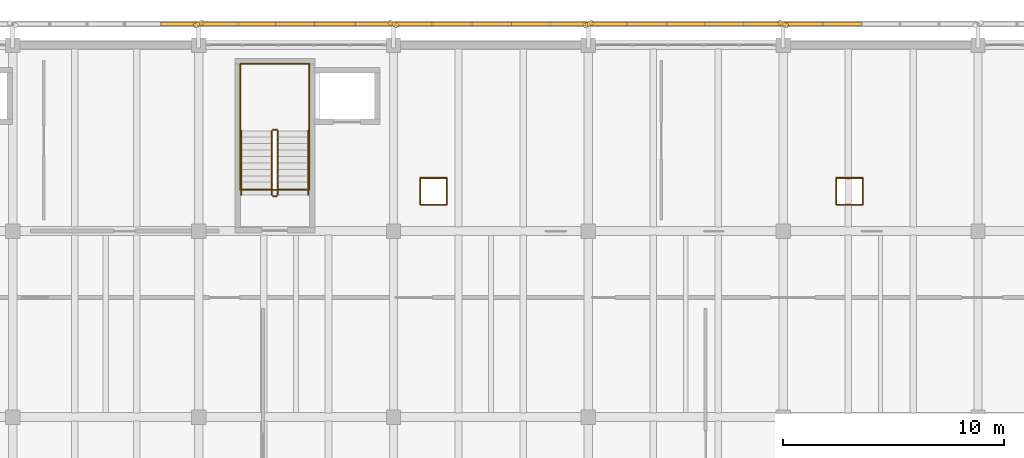
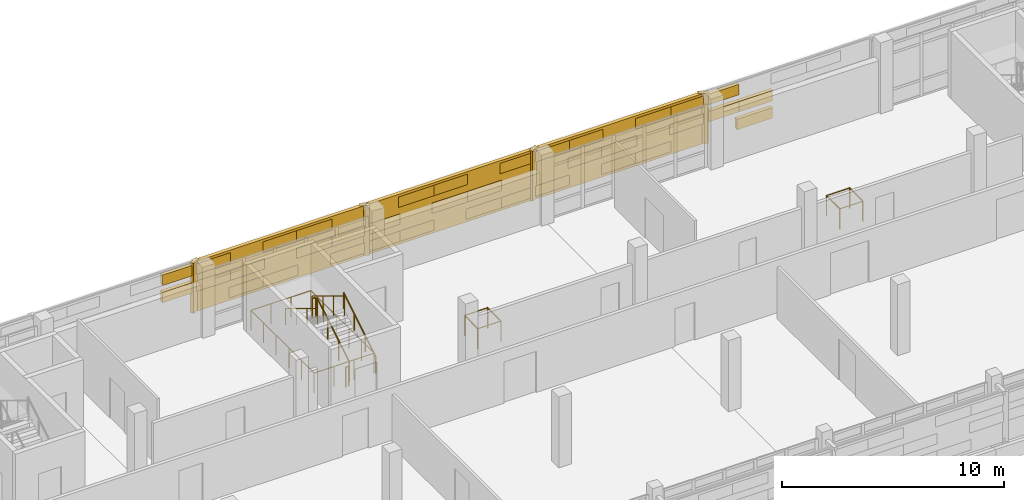
# One storey, part 114 of 117: 40 coverings, 18 railings, 3 shading devices.
"""IFC4 building model written with IfcOpenShell, lengths in metres."""

from ifc_helpers import new_model, si_unit, direction, frame, origin, origin_2d, place, context, subcontext, project, spatial, rectangle, circle, extrude, material, layer, layer_set, type_object, element, save


model = new_model("IFC4")

# Units and contexts
model_context = context("Model", 3, precision=1e-05, world=origin(), true_north=direction((0.0, 1.0)))
body_context = subcontext(model_context, "Body", "Model", "MODEL_VIEW")
ifc_project = project(units=[si_unit("LENGTHUNIT", "METRE"), si_unit("AREAUNIT", "SQUARE_METRE"), si_unit("VOLUMEUNIT", "CUBIC_METRE"), si_unit("PLANEANGLEUNIT", "RADIAN"), si_unit("MASSUNIT", "GRAM", prefix="KILO")], contexts=[model_context])

# Site, building, storey
site_placement = place(None, origin())
site = spatial("IfcSite", under=ifc_project, at=site_placement, CompositionType="ELEMENT")
building_placement = place(site_placement, origin())
building = spatial("IfcBuilding", under=site, at=building_placement, Name="Cinderway Yard Community Centre", CompositionType="ELEMENT")
storey_placement = place(building_placement, frame((0.0, 0.0, 9.0)))
storey = spatial("IfcBuildingStorey", under=building, at=storey_placement, Name="L02", CompositionType="ELEMENT", Elevation=9.0)

# Coverings
ifc_material_1 = material(Name="Brick Masonry", Category="masonry")
ifc_layer = layer(ifc_material_1, 0.18994140625, Name="Brick Masonry")
ifc_layer_set = layer_set([ifc_layer], Name="Brick Masonry")
covering_type = type_object("IfcCoveringType", Name="ENV-COV-BRK-SCREEN", PredefinedType="CLADDING", material=ifc_layer_set)
for number, where, z_axis, x_axis, name in (
    (1, (75.199951171875, 116.14990234375, 0.64990234375), (0.0, 0.0, 1.0), (0.913545457643, 0.406736643076, 0.0), "Deconstructivist folded brick fin 0138"),
    (2, (84.0, 116.14990234375, 0.64990234375), (0.0, 0.0, 1.0), (0.913545457643, -0.406736643076, 0.0), "Deconstructivist folded brick fin 0139"),
    (3, (92.800048828125, 116.14990234375, 0.64990234375), (0.0, 0.0, 1.0), (0.913545457643, 0.406736643076, 0.0), "Deconstructivist folded brick fin 0140"),
    (4, (101.60009765625, 116.14990234375, 0.64990234375), (0.0, 0.0, 1.0), (0.913545457643, -0.406736643076, 0.0), "Deconstructivist folded brick fin 0141"),
):
    element("IfcCovering", number, at=place(storey_placement, frame(where, z_axis=z_axis, x_axis=x_axis)), inside=storey, type_object=covering_type, Name=name, PredefinedType="CLADDING", context=body_context, shape_type="SweptSolid", body=[
        extrude(rectangle(XDim=0.4599609375, YDim=0.199951171875, at=origin_2d()), origin(), (0.0, 0.0, 1.0), 2.75),
    ])
for number, where, z_axis, x_axis, name in (
    (5, (74.360107421875, 116.14990234375, 1.736328125), (0.0, 0.0, 1.0), (1.0, 0.0, 0.0), "Open-bond perforated brick screen course 00181"),
    (6, (74.360107421875, 116.14990234375, 2.6826171875), (0.0, 0.0, 1.0), (1.0, 0.0, 0.0), "Open-bond perforated brick screen course 00185"),
):
    element("IfcCovering", number, at=place(storey_placement, frame(where, z_axis=z_axis, x_axis=x_axis)), inside=storey, type_object=covering_type, Name=name, PredefinedType="CLADDING", context=body_context, shape_type="SweptSolid", body=[
        extrude(rectangle(XDim=1.760009765625, YDim=0.18994140625, at=origin_2d()), origin(), (0.0, 0.0, 1.0), 0.576904296875),
    ])
for number, where, z_axis, x_axis, name in (
    (7, (77.840087890625, 116.14990234375, 0.79052734375), (0.0, 0.0, 1.0), (1.0, 0.0, 0.0), "Open-bond perforated brick screen course 00186"),
    (8, (79.60009765625, 116.14990234375, 0.79052734375), (0.0, 0.0, 1.0), (1.0, 0.0, 0.0), "Open-bond perforated brick screen course 00187"),
    (9, (83.1201171875, 116.14990234375, 0.79052734375), (0.0, 0.0, 1.0), (1.0, 0.0, 0.0), "Open-bond perforated brick screen course 00188"),
    (10, (76.080078125, 116.14990234375, 1.736328125), (0.0, 0.0, 1.0), (1.0, 0.0, 0.0), "Open-bond perforated brick screen course 00189"),
    (11, (77.840087890625, 116.14990234375, 1.736328125), (0.0, 0.0, 1.0), (1.0, 0.0, 0.0), "Open-bond perforated brick screen course 00190"),
    (12, (81.360107421875, 116.14990234375, 1.736328125), (0.0, 0.0, 1.0), (1.0, 0.0, 0.0), "Open-bond perforated brick screen course 00191"),
    (13, (83.1201171875, 116.14990234375, 1.736328125), (0.0, 0.0, 1.0), (1.0, 0.0, 0.0), "Open-bond perforated brick screen course 00192"),
    (14, (76.080078125, 116.14990234375, 2.6826171875), (0.0, 0.0, 1.0), (1.0, 0.0, 0.0), "Open-bond perforated brick screen course 00193"),
    (15, (79.60009765625, 116.14990234375, 2.6826171875), (0.0, 0.0, 1.0), (1.0, 0.0, 0.0), "Open-bond perforated brick screen course 00194"),
    (16, (81.360107421875, 116.14990234375, 2.6826171875), (0.0, 0.0, 1.0), (1.0, 0.0, 0.0), "Open-bond perforated brick screen course 00195"),
    (17, (84.8798828125, 116.14990234375, 0.79052734375), (0.0, 0.0, 1.0), (1.0, 0.0, 0.0), "Open-bond perforated brick screen course 00196"),
    (18, (86.639892578125, 116.14990234375, 0.79052734375), (0.0, 0.0, 1.0), (1.0, 0.0, 0.0), "Open-bond perforated brick screen course 00197"),
    (19, (90.159912109375, 116.14990234375, 0.79052734375), (0.0, 0.0, 1.0), (1.0, 0.0, 0.0), "Open-bond perforated brick screen course 00198"),
    (20, (91.919921875, 116.14990234375, 0.79052734375), (0.0, 0.0, 1.0), (1.0, 0.0, 0.0), "Open-bond perforated brick screen course 00199"),
    (21, (84.8798828125, 116.14990234375, 1.736328125), (0.0, 0.0, 1.0), (1.0, 0.0, 0.0), "Open-bond perforated brick screen course 00200"),
    (22, (88.39990234375, 116.14990234375, 1.736328125), (0.0, 0.0, 1.0), (1.0, 0.0, 0.0), "Open-bond perforated brick screen course 00201"),
    (23, (90.159912109375, 116.14990234375, 1.736328125), (0.0, 0.0, 1.0), (1.0, 0.0, 0.0), "Open-bond perforated brick screen course 00202"),
    (24, (86.639892578125, 116.14990234375, 2.6826171875), (0.0, 0.0, 1.0), (1.0, 0.0, 0.0), "Open-bond perforated brick screen course 00203"),
    (25, (88.39990234375, 116.14990234375, 2.6826171875), (0.0, 0.0, 1.0), (1.0, 0.0, 0.0), "Open-bond perforated brick screen course 00204"),
    (26, (91.919921875, 116.14990234375, 2.6826171875), (0.0, 0.0, 1.0), (1.0, 0.0, 0.0), "Open-bond perforated brick screen course 00205"),
    (27, (93.679931640625, 116.14990234375, 0.79052734375), (0.0, 0.0, 1.0), (1.0, 0.0, 0.0), "Open-bond perforated brick screen course 00206"),
    (28, (97.199951171875, 116.14990234375, 0.79052734375), (0.0, 0.0, 1.0), (1.0, 0.0, 0.0), "Open-bond perforated brick screen course 00207"),
    (29, (98.9599609375, 116.14990234375, 0.79052734375), (0.0, 0.0, 1.0), (1.0, 0.0, 0.0), "Open-bond perforated brick screen course 00208"),
    (30, (95.43994140625, 116.14990234375, 1.736328125), (0.0, 0.0, 1.0), (1.0, 0.0, 0.0), "Open-bond perforated brick screen course 00209"),
    (31, (97.199951171875, 116.14990234375, 1.736328125), (0.0, 0.0, 1.0), (1.0, 0.0, 0.0), "Open-bond perforated brick screen course 00210"),
    (32, (100.719970703125, 116.14990234375, 1.736328125), (0.0, 0.0, 1.0), (1.0, 0.0, 0.0), "Open-bond perforated brick screen course 00211"),
    (33, (93.679931640625, 116.14990234375, 2.6826171875), (0.0, 0.0, 1.0), (1.0, 0.0, 0.0), "Open-bond perforated brick screen course 00212"),
    (34, (95.43994140625, 116.14990234375, 2.6826171875), (0.0, 0.0, 1.0), (1.0, 0.0, 0.0), "Open-bond perforated brick screen course 00213"),
    (35, (98.9599609375, 116.14990234375, 2.6826171875), (0.0, 0.0, 1.0), (1.0, 0.0, 0.0), "Open-bond perforated brick screen course 00214"),
    (36, (100.719970703125, 116.14990234375, 2.6826171875), (0.0, 0.0, 1.0), (1.0, 0.0, 0.0), "Open-bond perforated brick screen course 00215"),
    (37, (104.239990234375, 116.14990234375, 0.79052734375), (0.0, 0.0, 1.0), (1.0, 0.0, 0.0), "Open-bond perforated brick screen course 00216"),
    (38, (102.47998046875, 116.14990234375, 1.736328125), (0.0, 0.0, 1.0), (1.0, 0.0, 0.0), "Open-bond perforated brick screen course 00219"),
    (39, (104.239990234375, 116.14990234375, 1.736328125), (0.0, 0.0, 1.0), (1.0, 0.0, 0.0), "Open-bond perforated brick screen course 00220"),
    (40, (102.47998046875, 116.14990234375, 2.6826171875), (0.0, 0.0, 1.0), (1.0, 0.0, 0.0), "Open-bond perforated brick screen course 00223"),
):
    element("IfcCovering", number, at=place(storey_placement, frame(where, z_axis=z_axis, x_axis=x_axis)), inside=storey, type_object=covering_type, Name=name, PredefinedType="CLADDING", context=body_context, shape_type="SweptSolid", body=[
        extrude(rectangle(XDim=1.840087890625, YDim=0.18994140625, at=origin_2d()), origin(), (0.0, 0.0, 1.0), 0.576904296875),
    ])

# Shading devices
shading_device_type = type_object("IfcShadingDeviceType", Name="ENV-SHD-BRICKSCREEN-A", PredefinedType="USERDEFINED", material=ifc_material_1)
for number, where, z_axis, x_axis, name in (
    (41, (79.60009765625, 116.14990234375, 0.64990234375), (0.0, 0.0, 1.0), (1.0, 0.0, 0.0), "Street Perforated Brick Screen 0138"),
    (42, (88.39990234375, 116.14990234375, 0.64990234375), (0.0, 0.0, 1.0), (1.0, 0.0, 0.0), "Street Perforated Brick Screen 0146"),
    (43, (97.199951171875, 116.14990234375, 0.64990234375), (0.0, 0.0, 1.0), (1.0, 0.0, 0.0), "Street Perforated Brick Screen 0154"),
):
    element("IfcShadingDevice", number, at=place(storey_placement, frame(where, z_axis=z_axis, x_axis=x_axis)), inside=storey, type_object=shading_device_type, Name=name, ObjectType="PERFORATED BRICK SCREEN", PredefinedType="USERDEFINED", context=body_context, shape_type="SweptSolid", body=[
        extrude(rectangle(XDim=8.60009765625, YDim=0.18994140625, at=origin_2d()), origin(), (0.0, 0.0, 1.0), 2.75),
    ])

# Railings
ifc_material_2 = material(Name="Painted Galvanised Steel", Category="steel")
railing_type_1 = type_object("IfcRailingType", Name="INT-RAL-GRD112", PredefinedType="GUARDRAIL", material=ifc_material_2)
railing_1_placement = place(storey_placement, frame((78.77001953125, 108.429931640625, 0.17724609375)))
element("IfcRailing", 44, at=railing_1_placement, inside=storey, type_object=railing_type_1, Name="L02 ST-02 stair guard 1", PredefinedType="GUARDRAIL", context=body_context, shape_type="SweptSolid", body=[
    extrude(circle(Radius=0.02392578125, at=origin_2d()), frame((0.0, 0.0, 1.076171875), z_axis=(0.0, 0.853230340181, 0.521534262148), x_axis=(-1.0, 0.0, 0.0)), (0.0, 0.0, 1.0), 3.39892578125),
    extrude(circle(Radius=0.02099609375, at=origin_2d()), origin(), (0.0, 0.0, 1.0), 1.052001953125),
    extrude(circle(Radius=0.02099609375, at=origin_2d()), frame((0.0, 0.966796875, 0.5908203125)), (0.0, 0.0, 1.0), 1.052001953125),
    extrude(circle(Radius=0.02099609375, at=origin_2d()), frame((0.0, 1.933349609375, 1.181884765625)), (0.0, 0.0, 1.0), 1.052001953125),
    extrude(circle(Radius=0.02099609375, at=origin_2d()), frame((0.0, 2.900146484375, 1.772705078125)), (0.0, 0.0, 1.0), 1.052001953125),
])
railing_2_placement = place(storey_placement, frame((78.719970703125, 111.3798828125, 1.949951171875)))
element("IfcRailing", 45, at=railing_2_placement, inside=storey, type_object=railing_type_1, Name="L02 ST-02 stair guard 2", PredefinedType="GUARDRAIL", context=body_context, shape_type="SweptSolid", body=[
    extrude(circle(Radius=0.02392578125, at=origin_2d()), frame((0.0, 0.0, 1.076171875), z_axis=(-1.0, 0.0, 0.0), x_axis=(0.0, -1.0, 0.0)), (0.0, 0.0, 1.0), 0.159912109375),
    extrude(circle(Radius=0.02099609375, at=origin_2d()), origin(), (0.0, 0.0, 1.0), 1.052001953125),
    extrude(circle(Radius=0.02099609375, at=origin_2d()), frame((-0.159912109375, 0.0, 0.0)), (0.0, 0.0, 1.0), 1.052001953125),
])
railing_3_placement = place(storey_placement, frame((78.510009765625, 111.330078125, 2.127197265625)))
element("IfcRailing", 46, at=railing_3_placement, inside=storey, type_object=railing_type_1, Name="L02 ST-02 stair guard 3", PredefinedType="GUARDRAIL", context=body_context, shape_type="SweptSolid", body=[
    extrude(circle(Radius=0.02392578125, at=origin_2d()), frame((0.0, 0.0, 1.076171875), z_axis=(0.0, -0.853230340181, 0.521534262148), x_axis=(1.0, 0.0, 0.0)), (0.0, 0.0, 1.0), 3.39892578125),
    extrude(circle(Radius=0.02099609375, at=origin_2d()), origin(), (0.0, 0.0, 1.0), 1.052001953125),
    extrude(circle(Radius=0.02099609375, at=origin_2d()), frame((0.0, -0.966796875, 0.5908203125)), (0.0, 0.0, 1.0), 1.052001953125),
    extrude(circle(Radius=0.02099609375, at=origin_2d()), frame((0.0, -1.933349609375, 1.181884765625)), (0.0, 0.0, 1.0), 1.052001953125),
    extrude(circle(Radius=0.02099609375, at=origin_2d()), frame((0.0, -2.900146484375, 1.772705078125)), (0.0, 0.0, 1.0), 1.052001953125),
])
railing_4_placement = place(storey_placement, frame((78.719970703125, 108.3798828125, 0.0)))
element("IfcRailing", 47, at=railing_4_placement, inside=storey, type_object=railing_type_1, Name="L02 ST-02 stair guard 4", PredefinedType="GUARDRAIL", context=body_context, shape_type="SweptSolid", body=[
    extrude(circle(Radius=0.02392578125, at=origin_2d()), frame((0.0, 0.0, 1.076171875), z_axis=(-1.0, 0.0, 0.0), x_axis=(0.0, -1.0, 0.0)), (0.0, 0.0, 1.0), 0.159912109375),
    extrude(circle(Radius=0.02099609375, at=origin_2d()), origin(), (0.0, 0.0, 1.0), 1.052001953125),
    extrude(circle(Radius=0.02099609375, at=origin_2d()), frame((-0.159912109375, 0.0, 0.0)), (0.0, 0.0, 1.0), 1.052001953125),
])
railing_5_placement = place(storey_placement, frame((80.199951171875, 108.669921875, 0.0)))
element("IfcRailing", 48, at=railing_5_placement, inside=storey, type_object=railing_type_1, Name="Service void perimeter guard L02 151", PredefinedType="GUARDRAIL", context=body_context, shape_type="SweptSolid", body=[
    extrude(circle(Radius=0.02392578125, at=origin_2d()), frame((0.0, 0.0, 1.09619140625), z_axis=(0.0, 1.0, 0.0), x_axis=(-1.0, 0.0, 0.0)), (0.0, 0.0, 1.0), 5.68017578125),
    extrude(circle(Radius=0.02099609375, at=origin_2d()), origin(), (0.0, 0.0, 1.0), 1.072021484375),
    extrude(circle(Radius=0.02099609375, at=origin_2d()), frame((0.0, 1.135986328125, 0.0)), (0.0, 0.0, 1.0), 1.072021484375),
    extrude(circle(Radius=0.02099609375, at=origin_2d()), frame((0.0, 2.27197265625, 0.0)), (0.0, 0.0, 1.0), 1.072021484375),
    extrude(circle(Radius=0.02099609375, at=origin_2d()), frame((0.0, 3.408203125, 0.0)), (0.0, 0.0, 1.0), 1.072021484375),
    extrude(circle(Radius=0.02099609375, at=origin_2d()), frame((0.0, 4.544189453125, 0.0)), (0.0, 0.0, 1.0), 1.072021484375),
    extrude(circle(Radius=0.02099609375, at=origin_2d()), frame((0.0, 5.68017578125, 0.0)), (0.0, 0.0, 1.0), 1.072021484375),
])
railing_6_placement = place(storey_placement, frame((80.199951171875, 114.35009765625, 0.0)))
element("IfcRailing", 49, at=railing_6_placement, inside=storey, type_object=railing_type_1, Name="Service void perimeter guard L02 152", PredefinedType="GUARDRAIL", context=body_context, shape_type="SweptSolid", body=[
    extrude(circle(Radius=0.02392578125, at=origin_2d()), frame((0.0, 0.0, 1.09619140625), z_axis=(-1.0, 0.0, 0.0), x_axis=(0.0, -1.0, 0.0)), (0.0, 0.0, 1.0), 3.119873046875),
    extrude(circle(Radius=0.02099609375, at=origin_2d()), origin(), (0.0, 0.0, 1.0), 1.072021484375),
    extrude(circle(Radius=0.02099609375, at=origin_2d()), frame((-1.0400390625, 0.0, 0.0)), (0.0, 0.0, 1.0), 1.072021484375),
    extrude(circle(Radius=0.02099609375, at=origin_2d()), frame((-2.079833984375, 0.0, 0.0)), (0.0, 0.0, 1.0), 1.072021484375),
    extrude(circle(Radius=0.02099609375, at=origin_2d()), frame((-3.119873046875, 0.0, 0.0)), (0.0, 0.0, 1.0), 1.072021484375),
])
railing_7_placement = place(storey_placement, frame((77.080078125, 114.35009765625, 0.0)))
element("IfcRailing", 50, at=railing_7_placement, inside=storey, type_object=railing_type_1, Name="Service void perimeter guard L02 153", PredefinedType="GUARDRAIL", context=body_context, shape_type="SweptSolid", body=[
    extrude(circle(Radius=0.02392578125, at=origin_2d()), frame((0.0, 0.0, 1.09619140625), z_axis=(0.0, -1.0, 0.0), x_axis=(1.0, 0.0, 0.0)), (0.0, 0.0, 1.0), 5.68017578125),
    extrude(circle(Radius=0.02099609375, at=origin_2d()), origin(), (0.0, 0.0, 1.0), 1.072021484375),
    extrude(circle(Radius=0.02099609375, at=origin_2d()), frame((0.0, -1.135986328125, 0.0)), (0.0, 0.0, 1.0), 1.072021484375),
    extrude(circle(Radius=0.02099609375, at=origin_2d()), frame((0.0, -2.27197265625, 0.0)), (0.0, 0.0, 1.0), 1.072021484375),
    extrude(circle(Radius=0.02099609375, at=origin_2d()), frame((0.0, -3.408203125, 0.0)), (0.0, 0.0, 1.0), 1.072021484375),
    extrude(circle(Radius=0.02099609375, at=origin_2d()), frame((0.0, -4.544189453125, 0.0)), (0.0, 0.0, 1.0), 1.072021484375),
    extrude(circle(Radius=0.02099609375, at=origin_2d()), frame((0.0, -5.68017578125, 0.0)), (0.0, 0.0, 1.0), 1.072021484375),
])
railing_8_placement = place(storey_placement, frame((77.080078125, 108.669921875, 0.0)))
element("IfcRailing", 51, at=railing_8_placement, inside=storey, type_object=railing_type_1, Name="Service void perimeter guard L02 154", PredefinedType="GUARDRAIL", context=body_context, shape_type="SweptSolid", body=[
    extrude(circle(Radius=0.02392578125, at=origin_2d()), frame((0.0, 0.0, 1.09619140625), z_axis=(1.0, 0.0, 0.0), x_axis=(0.0, 1.0, 0.0)), (0.0, 0.0, 1.0), 3.119873046875),
    extrude(circle(Radius=0.02099609375, at=origin_2d()), origin(), (0.0, 0.0, 1.0), 1.072021484375),
    extrude(circle(Radius=0.02099609375, at=origin_2d()), frame((1.0400390625, 0.0, 0.0)), (0.0, 0.0, 1.0), 1.072021484375),
    extrude(circle(Radius=0.02099609375, at=origin_2d()), frame((2.079833984375, 0.0, 0.0)), (0.0, 0.0, 1.0), 1.072021484375),
    extrude(circle(Radius=0.02099609375, at=origin_2d()), frame((3.119873046875, 0.0, 0.0)), (0.0, 0.0, 1.0), 1.072021484375),
])
railing_9_placement = place(storey_placement, frame((85.199951171875, 108.0, 0.0)))
element("IfcRailing", 52, at=railing_9_placement, inside=storey, type_object=railing_type_1, Name="Service void perimeter guard L02 155", PredefinedType="GUARDRAIL", context=body_context, shape_type="SweptSolid", body=[
    extrude(circle(Radius=0.02392578125, at=origin_2d()), frame((0.0, 0.0, 1.09619140625), z_axis=(1.0, 0.0, 0.0), x_axis=(0.0, 1.0, 0.0)), (0.0, 0.0, 1.0), 1.199951171875),
    extrude(circle(Radius=0.02099609375, at=origin_2d()), origin(), (0.0, 0.0, 1.0), 1.072021484375),
    extrude(circle(Radius=0.02099609375, at=origin_2d()), frame((1.199951171875, 0.0, 0.0)), (0.0, 0.0, 1.0), 1.072021484375),
])
railing_10_placement = place(storey_placement, frame((86.39990234375, 108.0, 0.0)))
element("IfcRailing", 53, at=railing_10_placement, inside=storey, type_object=railing_type_1, Name="Service void perimeter guard L02 156", PredefinedType="GUARDRAIL", context=body_context, shape_type="SweptSolid", body=[
    extrude(circle(Radius=0.02392578125, at=origin_2d()), frame((0.0, 0.0, 1.09619140625), z_axis=(0.0, 1.0, 0.0), x_axis=(-1.0, 0.0, 0.0)), (0.0, 0.0, 1.0), 1.199951171875),
    extrude(circle(Radius=0.02099609375, at=origin_2d()), origin(), (0.0, 0.0, 1.0), 1.072021484375),
    extrude(circle(Radius=0.02099609375, at=origin_2d()), frame((0.0, 1.199951171875, 0.0)), (0.0, 0.0, 1.0), 1.072021484375),
])
railing_11_placement = place(storey_placement, frame((86.39990234375, 109.199951171875, 0.0)))
element("IfcRailing", 54, at=railing_11_placement, inside=storey, type_object=railing_type_1, Name="Service void perimeter guard L02 157", PredefinedType="GUARDRAIL", context=body_context, shape_type="SweptSolid", body=[
    extrude(circle(Radius=0.02392578125, at=origin_2d()), frame((0.0, 0.0, 1.09619140625), z_axis=(-1.0, 0.0, 0.0), x_axis=(0.0, -1.0, 0.0)), (0.0, 0.0, 1.0), 1.199951171875),
    extrude(circle(Radius=0.02099609375, at=origin_2d()), origin(), (0.0, 0.0, 1.0), 1.072021484375),
    extrude(circle(Radius=0.02099609375, at=origin_2d()), frame((-1.199951171875, 0.0, 0.0)), (0.0, 0.0, 1.0), 1.072021484375),
])
railing_12_placement = place(storey_placement, frame((85.199951171875, 109.199951171875, 0.0)))
element("IfcRailing", 55, at=railing_12_placement, inside=storey, type_object=railing_type_1, Name="Service void perimeter guard L02 158", PredefinedType="GUARDRAIL", context=body_context, shape_type="SweptSolid", body=[
    extrude(circle(Radius=0.02392578125, at=origin_2d()), frame((0.0, 0.0, 1.09619140625), z_axis=(0.0, -1.0, 0.0), x_axis=(1.0, 0.0, 0.0)), (0.0, 0.0, 1.0), 1.199951171875),
    extrude(circle(Radius=0.02099609375, at=origin_2d()), origin(), (0.0, 0.0, 1.0), 1.072021484375),
    extrude(circle(Radius=0.02099609375, at=origin_2d()), frame((0.0, -1.199951171875, 0.0)), (0.0, 0.0, 1.0), 1.072021484375),
])
railing_13_placement = place(storey_placement, frame((104.0, 108.0, 0.0)))
element("IfcRailing", 56, at=railing_13_placement, inside=storey, type_object=railing_type_1, Name="Service void perimeter guard L02 163", PredefinedType="GUARDRAIL", context=body_context, shape_type="SweptSolid", body=[
    extrude(circle(Radius=0.02392578125, at=origin_2d()), frame((0.0, 0.0, 1.09619140625), z_axis=(1.0, 0.0, 0.0), x_axis=(0.0, 1.0, 0.0)), (0.0, 0.0, 1.0), 1.199951171875),
    extrude(circle(Radius=0.02099609375, at=origin_2d()), origin(), (0.0, 0.0, 1.0), 1.072021484375),
    extrude(circle(Radius=0.02099609375, at=origin_2d()), frame((1.199951171875, 0.0, 0.0)), (0.0, 0.0, 1.0), 1.072021484375),
])
railing_14_placement = place(storey_placement, frame((105.199951171875, 108.0, 0.0)))
element("IfcRailing", 57, at=railing_14_placement, inside=storey, type_object=railing_type_1, Name="Service void perimeter guard L02 164", PredefinedType="GUARDRAIL", context=body_context, shape_type="SweptSolid", body=[
    extrude(circle(Radius=0.02392578125, at=origin_2d()), frame((0.0, 0.0, 1.09619140625), z_axis=(0.0, 1.0, 0.0), x_axis=(-1.0, 0.0, 0.0)), (0.0, 0.0, 1.0), 1.199951171875),
    extrude(circle(Radius=0.02099609375, at=origin_2d()), origin(), (0.0, 0.0, 1.0), 1.072021484375),
    extrude(circle(Radius=0.02099609375, at=origin_2d()), frame((0.0, 1.199951171875, 0.0)), (0.0, 0.0, 1.0), 1.072021484375),
])
railing_15_placement = place(storey_placement, frame((105.199951171875, 109.199951171875, 0.0)))
element("IfcRailing", 58, at=railing_15_placement, inside=storey, type_object=railing_type_1, Name="Service void perimeter guard L02 165", PredefinedType="GUARDRAIL", context=body_context, shape_type="SweptSolid", body=[
    extrude(circle(Radius=0.02392578125, at=origin_2d()), frame((0.0, 0.0, 1.09619140625), z_axis=(-1.0, 0.0, 0.0), x_axis=(0.0, -1.0, 0.0)), (0.0, 0.0, 1.0), 1.199951171875),
    extrude(circle(Radius=0.02099609375, at=origin_2d()), origin(), (0.0, 0.0, 1.0), 1.072021484375),
    extrude(circle(Radius=0.02099609375, at=origin_2d()), frame((-1.199951171875, 0.0, 0.0)), (0.0, 0.0, 1.0), 1.072021484375),
])
railing_16_placement = place(storey_placement, frame((104.0, 109.199951171875, 0.0)))
element("IfcRailing", 59, at=railing_16_placement, inside=storey, type_object=railing_type_1, Name="Service void perimeter guard L02 166", PredefinedType="GUARDRAIL", context=body_context, shape_type="SweptSolid", body=[
    extrude(circle(Radius=0.02392578125, at=origin_2d()), frame((0.0, 0.0, 1.09619140625), z_axis=(0.0, -1.0, 0.0), x_axis=(1.0, 0.0, 0.0)), (0.0, 0.0, 1.0), 1.199951171875),
    extrude(circle(Radius=0.02099609375, at=origin_2d()), origin(), (0.0, 0.0, 1.0), 1.072021484375),
    extrude(circle(Radius=0.02099609375, at=origin_2d()), frame((0.0, -1.199951171875, 0.0)), (0.0, 0.0, 1.0), 1.072021484375),
])
railing_type_2 = type_object("IfcRailingType", Name="INT-RAL-HND090", PredefinedType="HANDRAIL", material=ifc_material_2)
railing_17_placement = place(storey_placement, frame((80.14990234375, 108.429931640625, 0.17724609375)))
element("IfcRailing", 60, at=railing_17_placement, inside=storey, type_object=railing_type_2, Name="L02 ST-02 stair handrail 1", PredefinedType="HANDRAIL", context=body_context, shape_type="SweptSolid", body=[
    extrude(circle(Radius=0.02392578125, at=origin_2d()), frame((0.0, 0.0, 0.8759765625), z_axis=(0.0, 0.853230340181, 0.521534262148), x_axis=(-1.0, 0.0, 0.0)), (0.0, 0.0, 1.0), 3.39892578125),
    extrude(circle(Radius=0.02099609375, at=origin_2d()), origin(), (0.0, 0.0, 1.0), 0.851806640625),
    extrude(circle(Radius=0.02099609375, at=origin_2d()), frame((0.0, 0.966796875, 0.5908203125)), (0.0, 0.0, 1.0), 0.851806640625),
    extrude(circle(Radius=0.02099609375, at=origin_2d()), frame((0.0, 1.933349609375, 1.181884765625)), (0.0, 0.0, 1.0), 0.851806640625),
    extrude(circle(Radius=0.02099609375, at=origin_2d()), frame((0.0, 2.900146484375, 1.772705078125)), (0.0, 0.0, 1.0), 0.851806640625),
])
railing_18_placement = place(storey_placement, frame((77.1298828125, 111.330078125, 2.127197265625)))
element("IfcRailing", 61, at=railing_18_placement, inside=storey, type_object=railing_type_2, Name="L02 ST-02 stair handrail 2", PredefinedType="HANDRAIL", context=body_context, shape_type="SweptSolid", body=[
    extrude(circle(Radius=0.02392578125, at=origin_2d()), frame((0.0, 0.0, 0.8759765625), z_axis=(0.0, -0.853230340181, 0.521534262148), x_axis=(1.0, 0.0, 0.0)), (0.0, 0.0, 1.0), 3.39892578125),
    extrude(circle(Radius=0.02099609375, at=origin_2d()), origin(), (0.0, 0.0, 1.0), 0.851806640625),
    extrude(circle(Radius=0.02099609375, at=origin_2d()), frame((0.0, -0.966796875, 0.5908203125)), (0.0, 0.0, 1.0), 0.851806640625),
    extrude(circle(Radius=0.02099609375, at=origin_2d()), frame((0.0, -1.933349609375, 1.181884765625)), (0.0, 0.0, 1.0), 0.851806640625),
    extrude(circle(Radius=0.02099609375, at=origin_2d()), frame((0.0, -2.900146484375, 1.772705078125)), (0.0, 0.0, 1.0), 0.851806640625),
])

save(model, "model.ifc")
